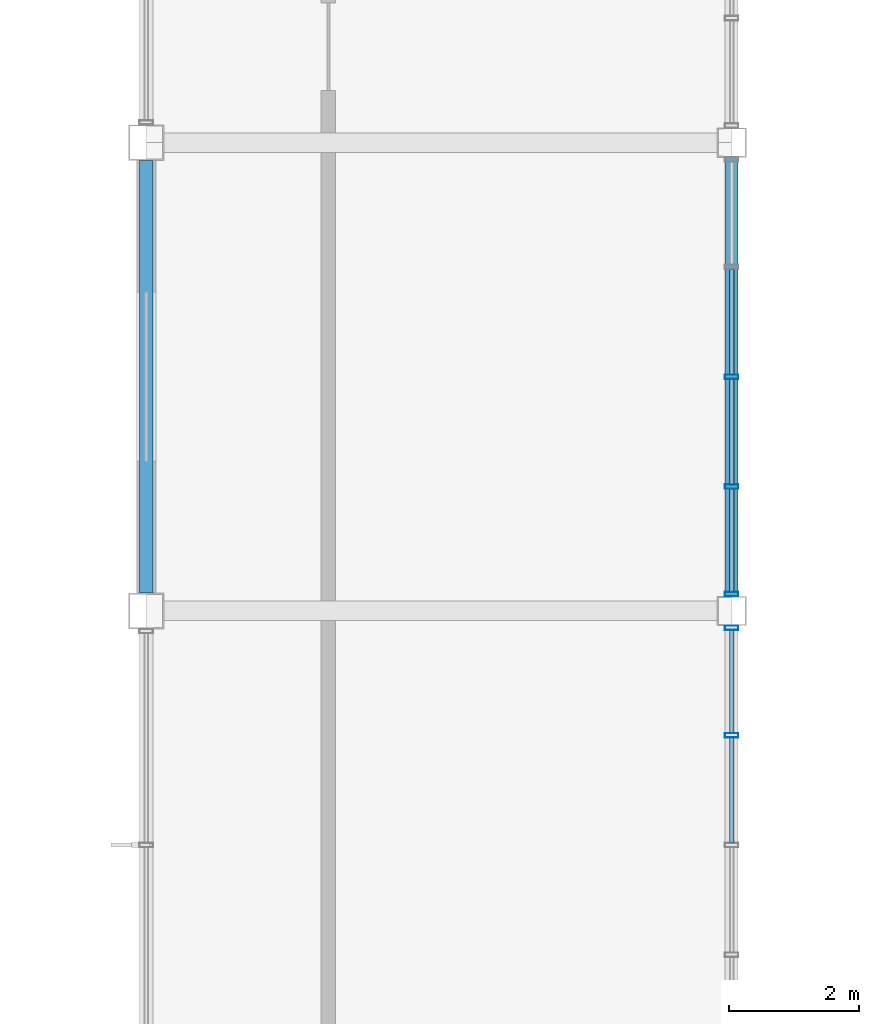
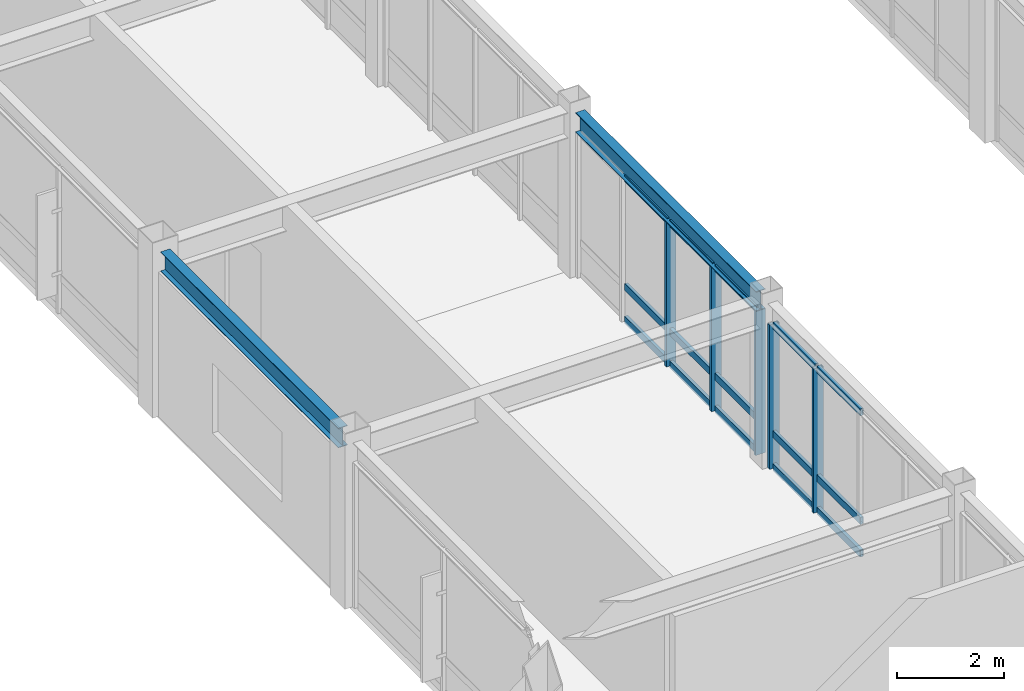
# One storey, part 47 of 113: 20 members, 2 beams, 2 elements without a shape of their own.
"""IFC4 building model written with IfcOpenShell, lengths in metres."""

import ifcopenshell
import ifcopenshell.guid

model = None  # the IFC model being written
_history = None  # IfcOwnerHistory: only IFC2X3 demands one
_inside = {}  # id of a spatial element -> (the spatial element, [elements in it])
_under = {}  # id of a project, library or spatial element -> (it, [spatial elements below it])
_declared = {}  # id of a project -> (the project, [libraries it declares])
_typed = {}  # id of a type object -> (the type object, [elements of that type])
_made_of = {}  # id of a material, layer set ... -> (it, [elements and type objects made of it])


def new_model(schema):
    """Start an empty IFC model of exactly this schema.

    Asked for "IFC4X3", IfcOpenShell would pick the latest addendum, in which some entities
    have other attributes; the version numbers below select the first issue.
    IFC2X3 requires an IfcOwnerHistory on every rooted entity: one is made here for all.
    """
    global model, _history
    if schema == "IFC4X3":
        model = ifcopenshell.file(schema_version=(4, 3, 0, 0))
    else:
        model = ifcopenshell.file(schema=schema)
    _inside.clear()
    _under.clear()
    _declared.clear()
    _typed.clear()
    _made_of.clear()
    _history = None
    if model.schema == "IFC2X3":
        org = make("IfcOrganization", Name="unknown")
        user = make(
            "IfcPersonAndOrganization",
            ThePerson=make("IfcPerson", FamilyName="unknown"),
            TheOrganization=org,
        )
        app = make(
            "IfcApplication",
            ApplicationDeveloper=org,
            Version="unknown",
            ApplicationFullName="unknown",
            ApplicationIdentifier="unknown",
        )
        _history = make(
            "IfcOwnerHistory",
            OwningUser=user,
            OwningApplication=app,
            ChangeAction="ADDED",
            CreationDate=0,
        )
    return model


def make(cls, **values):
    """One entity of the class cls with the attributes given. An attribute that is None is left unset."""
    return model.create_entity(
        cls, **{name: value for name, value in values.items() if value is not None}
    )


def rooted(cls, **values):
    """An entity with a GlobalId (a new one), such as an element, a storey or a relation."""
    return make(cls, GlobalId=ifcopenshell.guid.new(), OwnerHistory=_history, **values)


def si_unit(unit_type, name, prefix=None):
    """IfcSIUnit, for example si_unit("LENGTHUNIT", "METRE", prefix="MILLI")."""
    return make("IfcSIUnit", UnitType=unit_type, Prefix=prefix, Name=name)


def assignment(units):
    """IfcUnitAssignment: the units of a project."""
    return None if units is None else make("IfcUnitAssignment", Units=units)


def point(xyz):
    """IfcCartesianPoint."""
    return None if xyz is None else make("IfcCartesianPoint", Coordinates=xyz)


def direction(xyz):
    """IfcDirection."""
    return None if xyz is None else make("IfcDirection", DirectionRatios=xyz)


def frame(location, z_axis=None, x_axis=None):
    """IfcAxis2Placement3D, a coordinate frame: its origin and axes. An axis left out is left unset."""
    return make(
        "IfcAxis2Placement3D",
        Location=point(location),
        Axis=direction(z_axis),
        RefDirection=direction(x_axis),
    )


def frame_2d(location, x_axis=None):
    """IfcAxis2Placement2D, a coordinate frame in the plane: its origin and x axis."""
    return make(
        "IfcAxis2Placement2D", Location=point(location), RefDirection=direction(x_axis)
    )


def origin():
    """The frame at (0, 0, 0) with its axes left unset."""
    return frame((0.0, 0.0, 0.0))


def origin_2d():
    """The frame at (0, 0) in the plane with its x axis left unset."""
    return frame_2d((0.0, 0.0))


def place(relative_to, where):
    """IfcLocalPlacement: puts the frame where relative to a parent placement (None: the world)."""
    return make(
        "IfcLocalPlacement", PlacementRelTo=relative_to, RelativePlacement=where
    )


def context(
    kind, dimensions, precision=None, world=None, true_north=None, identifier=None
):
    """IfcGeometricRepresentationContext, for example the 3D "Model" context."""
    return make(
        "IfcGeometricRepresentationContext",
        ContextIdentifier=identifier,
        ContextType=kind,
        CoordinateSpaceDimension=dimensions,
        Precision=precision,
        WorldCoordinateSystem=world,
        TrueNorth=true_north,
    )


def subcontext(parent, identifier, kind, view, scale=None):
    """IfcGeometricRepresentationSubContext, for example "Body" below "Model"."""
    return make(
        "IfcGeometricRepresentationSubContext",
        ContextIdentifier=identifier,
        ContextType=kind,
        ParentContext=parent,
        TargetScale=scale,
        TargetView=view,
    )


def project(units=None, contexts=None):
    """IfcProject with its units and contexts."""
    return rooted(
        "IfcProject",
        Name="project",
        RepresentationContexts=contexts,
        UnitsInContext=assignment(units),
    )


def spatial(cls, under=None, at=None, **own):
    """A site, building, storey or space (cls), placed at a placement, below another one or the project."""
    s = rooted(cls, ObjectPlacement=at, **own)
    if under is not None:
        _under.setdefault(under.id(), (under, []))[1].append(s)
    return s


def profile(cls, at=None, kind="AREA", **sizes):
    """A parametric profile (cls). Its sizes go by their IFC names, for example OverallWidth=200.0."""
    return make(cls, ProfileType=kind, Position=at, **sizes)


def hollow_rectangle(**sizes):
    """IfcRectangleHollowProfileDef."""
    return profile("IfcRectangleHollowProfileDef", **sizes)


def i_section(**sizes):
    """IfcIShapeProfileDef."""
    return profile("IfcIShapeProfileDef", **sizes)


def extrude(swept, where, along, depth):
    """IfcExtrudedAreaSolid: the profile swept, set in the frame where, extruded along a direction by depth."""
    return make(
        "IfcExtrudedAreaSolid",
        SweptArea=swept,
        Position=where,
        ExtrudedDirection=direction(along),
        Depth=depth,
    )


def shape(context_of_items, identifier, shape_type, items):
    """IfcShapeRepresentation: the items that make up one representation, for example the "Body"."""
    return make(
        "IfcShapeRepresentation",
        ContextOfItems=context_of_items,
        RepresentationIdentifier=identifier,
        RepresentationType=shape_type,
        Items=items,
    )


def material(Name=None, Category=None):
    """IfcMaterial."""
    return make("IfcMaterial", Name=Name, Category=Category)


def material_profile(
    of_material, cross_section, Name=None, Category=None, Priority=None
):
    """IfcMaterialProfile: a cross section and its material."""
    return make(
        "IfcMaterialProfile",
        Name=Name,
        Material=of_material,
        Profile=cross_section,
        Priority=Priority,
        Category=Category,
    )


def profile_set(profiles, Name=None, composite=None):
    """IfcMaterialProfileSet."""
    return make(
        "IfcMaterialProfileSet",
        Name=Name,
        MaterialProfiles=profiles,
        CompositeProfile=composite,
    )


def made_of(thing, what):
    """Note that an element or type object is made of a material, layer set ...; save() writes the relation."""
    if what is not None:
        _made_of.setdefault(what.id(), (what, []))[1].append(thing)
    return thing


def type_object(cls, material=None, **own):
    """A type object (cls), such as IfcWallType, which elements share."""
    return made_of(rooted(cls, **own), material)


def element(
    cls,
    number,
    at=None,
    inside=None,
    cuts=None,
    type_object=None,
    material=None,
    context=None,
    identifier="Body",
    shape_type=None,
    held_by="IfcProductDefinitionShape",
    body=None,
    shapes=None,
    **own,
):
    """One element of the class cls, such as IfcWall. Its Tag is "e" and its number.

    at: its placement. inside: the storey or other place that contains it. cuts: it is an
    opening in that element (IfcRelVoidsElement). A single representation is given by context,
    identifier, shape_type and body (its items); several are given by shapes. held_by: the class
    of the entity that holds the representations. save() writes the other relations.
    """
    e = rooted(cls, Tag="e%d" % number, ObjectPlacement=at, **own)
    if body is not None:
        shapes = [shape(context, identifier, shape_type, body)]
    if shapes is not None:
        e.Representation = make(held_by, Representations=shapes)
    if inside is not None:
        _inside.setdefault(inside.id(), (inside, []))[1].append(e)
    if cuts is not None:
        rooted(
            "IfcRelVoidsElement", RelatingBuildingElement=cuts, RelatedOpeningElement=e
        )
    if type_object is not None:
        _typed.setdefault(type_object.id(), (type_object, []))[1].append(e)
    return made_of(e, material)


def aggregate(whole, parts):
    """IfcRelAggregates: a whole, such as a stair, and the parts it consists of."""
    return rooted("IfcRelAggregates", RelatingObject=whole, RelatedObjects=parts)


def save(model, path):
    """Write the relations noted so far, then the file.

    IfcRelAggregates (storeys below a building ...), IfcRelContainedInSpatialStructure (elements
    in a storey), IfcRelDefinesByType, IfcRelAssociatesMaterial and IfcRelDeclares: one each for
    every whole, place, type object, material and project.
    """
    for whole, parts in _under.values():
        aggregate(whole, parts)
    for where, things in _inside.values():
        rooted(
            "IfcRelContainedInSpatialStructure",
            RelatedElements=things,
            RelatingStructure=where,
        )
    for kind, things in _typed.values():
        rooted("IfcRelDefinesByType", RelatedObjects=things, RelatingType=kind)
    for what, things in _made_of.values():
        rooted("IfcRelAssociatesMaterial", RelatedObjects=things, RelatingMaterial=what)
    for by, libraries in _declared.values():
        rooted("IfcRelDeclares", RelatingContext=by, RelatedDefinitions=libraries)
    model.write(path)


model = new_model("IFC4")

# Units and contexts
model_context = context("Model", 3, precision=1e-05, world=origin(), true_north=direction((0.0, 1.0)))
body_context = subcontext(model_context, "Body", "Model", "MODEL_VIEW")
ifc_project = project(units=[si_unit("LENGTHUNIT", "METRE"), si_unit("AREAUNIT", "SQUARE_METRE"), si_unit("VOLUMEUNIT", "CUBIC_METRE"), si_unit("PLANEANGLEUNIT", "RADIAN"), si_unit("MASSUNIT", "GRAM", prefix="KILO")], contexts=[model_context])

# Site, building, storey
site_placement = place(None, origin())
site = spatial("IfcSite", under=ifc_project, at=site_placement, CompositionType="ELEMENT")
building_placement = place(site_placement, origin())
building = spatial("IfcBuilding", under=site, at=building_placement, Name="Kazanami Central Library", CompositionType="ELEMENT")
storey_placement = place(building_placement, frame((0.0, 0.0, 8.800048828125)))
storey = spatial("IfcBuildingStorey", under=building, at=storey_placement, Name="L03", CompositionType="ELEMENT", Elevation=8.800048828125)

# Beams
ifc_material_1 = material(Name="Steel SN490B (325 MPa)", Category="steel")
ifc_material_profile_1 = material_profile(ifc_material_1, i_section(OverallWidth=0.199951171875, OverallDepth=0.449951171875, WebThickness=0.009033203125, FlangeThickness=0.013916015625, at=origin_2d()), Name="H-450x200x9x14")
ifc_profile_set_1 = profile_set([ifc_material_profile_1], Name="Steel SN490B (325 MPa)")
beam_type = type_object("IfcBeamType", Name="BM-SP-2", PredefinedType="SPANDREL", material=ifc_profile_set_1)
beam_1_placement = place(storey_placement, frame((99.0, 43.472900390625, 3.52001953125), z_axis=(0.0, 1.0, 0.0), x_axis=(-1.0, 0.0, 0.0)))
element("IfcBeam", 1, at=beam_1_placement, inside=storey, type_object=beam_type, Name="Girder SP-2 L03 12/G-H", PredefinedType="SPANDREL", context=body_context, shape_type="SweptSolid", body=[
    extrude(i_section(OverallWidth=0.199951171875, OverallDepth=0.449951171875, WebThickness=0.009033203125, FlangeThickness=0.013916015625, at=origin_2d()), origin(), (0.0, 0.0, 1.0), 6.654052734375),
])
beam_2_placement = place(storey_placement, frame((108.0, 43.423095703125, 3.52001953125), z_axis=(0.0, 1.0, 0.0), x_axis=(-1.0, 0.0, 0.0)))
element("IfcBeam", 2, at=beam_2_placement, inside=storey, type_object=beam_type, Name="Girder SP-2 L03 13/G-H", PredefinedType="SPANDREL", context=body_context, shape_type="SweptSolid", body=[
    extrude(i_section(OverallWidth=0.199951171875, OverallDepth=0.449951171875, WebThickness=0.009033203125, FlangeThickness=0.013916015625, at=origin_2d()), origin(), (0.0, 0.0, 1.0), 6.75390625),
])

# Curtain wall, members
ifc_material_2 = material(Name="Acid-Etched Low-E Laminated Glass", Category="glass")
curtain_wall_type = type_object("IfcCurtainWallType", Name="CW-6750x3295-M180", PredefinedType="USERDEFINED", material=ifc_material_2)
curtain_wall_1_placement = place(storey_placement, origin())
curtain_wall_1 = element("IfcCurtainWall", 3, at=curtain_wall_1_placement, inside=storey, type_object=curtain_wall_type, Name="Covered Link Bridge Curtain Wall CW-32 L03 E-13-05", ObjectType="UNITISED CURTAIN WALL", PredefinedType="USERDEFINED")
ifc_material_3 = material(Name="Anodised Aluminium A6063-T5", Category="aluminium")
ifc_material_profile_2 = material_profile(ifc_material_3, hollow_rectangle(XDim=0.070068359375, YDim=0.2099609375, WallThickness=0.0048828125, at=origin_2d()), Name="ALU-MULL-70x210x5")
ifc_profile_set_2 = profile_set([ifc_material_profile_2], Name="Anodised Aluminium A6063-T5")
member_type_1 = type_object("IfcMemberType", Name="MEM-CW-M1", PredefinedType="MULLION", material=ifc_profile_set_2)
member_1_placement = place(storey_placement, frame((108.0, 42.93994140625, 0.0), z_axis=(0.0, 0.0, 1.0), x_axis=(0.0, -1.0, 0.0)))
member_1 = element("IfcMember", 4, at=member_1_placement, type_object=member_type_1, Name="CW-32 mullion 1", PredefinedType="MULLION", context=body_context, shape_type="SweptSolid", body=[
    extrude(hollow_rectangle(XDim=0.070068359375, YDim=0.2099609375, WallThickness=0.0048828125, at=origin_2d()), origin(), (0.0, 0.0, 1.0), 3.294921875),
])
member_2_placement = place(storey_placement, frame((108.0, 41.28759765625, 0.0), z_axis=(0.0, 0.0, 1.0), x_axis=(0.0, -1.0, 0.0)))
member_2 = element("IfcMember", 5, at=member_2_placement, type_object=member_type_1, Name="CW-32 mullion 2", PredefinedType="MULLION", context=body_context, shape_type="SweptSolid", body=[
    extrude(hollow_rectangle(XDim=0.070068359375, YDim=0.2099609375, WallThickness=0.0048828125, at=origin_2d()), origin(), (0.0, 0.0, 1.0), 3.294921875),
])

curtain_wall_2_placement = place(storey_placement, origin())
curtain_wall_2 = element("IfcCurtainWall", 6, at=curtain_wall_2_placement, inside=storey, type_object=curtain_wall_type, Name="Covered Link Bridge Curtain Wall CW-32 L03 E-13-06", ObjectType="UNITISED CURTAIN WALL", PredefinedType="USERDEFINED")
member_3_placement = place(storey_placement, frame((108.0, 46.800048828125, 0.0), z_axis=(0.0, 0.0, 1.0), x_axis=(0.0, -1.0, 0.0)))
member_3 = element("IfcMember", 7, at=member_3_placement, type_object=member_type_1, Name="CW-32 mullion 3", PredefinedType="MULLION", context=body_context, shape_type="SweptSolid", body=[
    extrude(hollow_rectangle(XDim=0.070068359375, YDim=0.2099609375, WallThickness=0.0048828125, at=origin_2d()), origin(), (0.0, 0.0, 1.0), 3.294921875),
])
member_4_placement = place(storey_placement, frame((108.0, 45.112548828125, 0.0), z_axis=(0.0, 0.0, 1.0), x_axis=(0.0, -1.0, 0.0)))
member_4 = element("IfcMember", 8, at=member_4_placement, type_object=member_type_1, Name="CW-32 mullion 4", PredefinedType="MULLION", context=body_context, shape_type="SweptSolid", body=[
    extrude(hollow_rectangle(XDim=0.070068359375, YDim=0.2099609375, WallThickness=0.0048828125, at=origin_2d()), origin(), (0.0, 0.0, 1.0), 3.294921875),
])
member_5_placement = place(storey_placement, frame((108.0, 43.4599609375, 0.0), z_axis=(0.0, 0.0, 1.0), x_axis=(0.0, -1.0, 0.0)))
member_5 = element("IfcMember", 9, at=member_5_placement, type_object=member_type_1, Name="CW-32 mullion 5", PredefinedType="MULLION", context=body_context, shape_type="SweptSolid", body=[
    extrude(hollow_rectangle(XDim=0.070068359375, YDim=0.2099609375, WallThickness=0.0048828125, at=origin_2d()), origin(), (0.0, 0.0, 1.0), 3.294921875),
])

# Member
ifc_material_profile_3 = material_profile(ifc_material_3, hollow_rectangle(XDim=0.070068359375, YDim=0.159912109375, WallThickness=0.00390625, at=origin_2d()), Name="ALU-TRAN-70x160x4")
ifc_profile_set_3 = profile_set([ifc_material_profile_3], Name="Anodised Aluminium A6063-T5")
member_type_2 = type_object("IfcMemberType", Name="MEM-CW-T1", PredefinedType="USERDEFINED", material=ifc_profile_set_3)
member_6_placement = place(storey_placement, frame((108.0, 42.905029296875, 0.034912109375), z_axis=(0.0, -1.0, 0.0), x_axis=(1.0, 0.0, 0.0)))
member_6 = element("IfcMember", 10, at=member_6_placement, type_object=member_type_2, Name="CW-32 transom 1.1", ObjectType="TRANSOM", PredefinedType="USERDEFINED", context=body_context, shape_type="SweptSolid", body=[
    extrude(hollow_rectangle(XDim=0.070068359375, YDim=0.159912109375, WallThickness=0.00390625, at=origin_2d()), origin(), (0.0, 0.0, 1.0), 1.58251953125),
])

member_7_placement = place(storey_placement, frame((108.0, 42.905029296875, 0.780029296875), z_axis=(0.0, -1.0, 0.0), x_axis=(1.0, 0.0, 0.0)))
member_7 = element("IfcMember", 11, at=member_7_placement, type_object=member_type_2, Name="CW-32 transom 1.2", ObjectType="TRANSOM", PredefinedType="USERDEFINED", context=body_context, shape_type="SweptSolid", body=[
    extrude(hollow_rectangle(XDim=0.070068359375, YDim=0.159912109375, WallThickness=0.00390625, at=origin_2d()), origin(), (0.0, 0.0, 1.0), 1.58251953125),
])

member_8_placement = place(storey_placement, frame((108.0, 42.905029296875, 3.260009765625), z_axis=(0.0, -1.0, 0.0), x_axis=(1.0, 0.0, 0.0)))
member_8 = element("IfcMember", 12, at=member_8_placement, type_object=member_type_2, Name="CW-32 transom 1.3", ObjectType="TRANSOM", PredefinedType="USERDEFINED", context=body_context, shape_type="SweptSolid", body=[
    extrude(hollow_rectangle(XDim=0.070068359375, YDim=0.159912109375, WallThickness=0.00390625, at=origin_2d()), origin(), (0.0, 0.0, 1.0), 1.58251953125),
])

member_9_placement = place(storey_placement, frame((108.0, 41.25244140625, 0.034912109375), z_axis=(0.0, -1.0, 0.0), x_axis=(1.0, 0.0, 0.0)))
member_9 = element("IfcMember", 13, at=member_9_placement, type_object=member_type_2, Name="CW-32 transom 2.1", ObjectType="TRANSOM", PredefinedType="USERDEFINED", context=body_context, shape_type="SweptSolid", body=[
    extrude(hollow_rectangle(XDim=0.070068359375, YDim=0.159912109375, WallThickness=0.00390625, at=origin_2d()), origin(), (0.0, 0.0, 1.0), 1.617431640625),
])

member_10_placement = place(storey_placement, frame((108.0, 41.25244140625, 0.780029296875), z_axis=(0.0, -1.0, 0.0), x_axis=(1.0, 0.0, 0.0)))
member_10 = element("IfcMember", 14, at=member_10_placement, type_object=member_type_2, Name="CW-32 transom 2.2", ObjectType="TRANSOM", PredefinedType="USERDEFINED", context=body_context, shape_type="SweptSolid", body=[
    extrude(hollow_rectangle(XDim=0.070068359375, YDim=0.159912109375, WallThickness=0.00390625, at=origin_2d()), origin(), (0.0, 0.0, 1.0), 1.617431640625),
])

member_11_placement = place(storey_placement, frame((108.0, 41.25244140625, 3.260009765625), z_axis=(0.0, -1.0, 0.0), x_axis=(1.0, 0.0, 0.0)))
member_11 = element("IfcMember", 15, at=member_11_placement, type_object=member_type_2, Name="CW-32 transom 2.3", ObjectType="TRANSOM", PredefinedType="USERDEFINED", context=body_context, shape_type="SweptSolid", body=[
    extrude(hollow_rectangle(XDim=0.070068359375, YDim=0.159912109375, WallThickness=0.00390625, at=origin_2d()), origin(), (0.0, 0.0, 1.0), 1.617431640625),
])

aggregate(curtain_wall_1, [member_1, member_2, member_6, member_7, member_8, member_9, member_10, member_11])

member_12_placement = place(storey_placement, frame((108.0, 48.452392578125, 0.034912109375), z_axis=(0.0, -1.0, 0.0), x_axis=(1.0, 0.0, 0.0)))
member_12 = element("IfcMember", 16, at=member_12_placement, type_object=member_type_2, Name="CW-32 transom 2.1", ObjectType="TRANSOM", PredefinedType="USERDEFINED", context=body_context, shape_type="SweptSolid", body=[
    extrude(hollow_rectangle(XDim=0.070068359375, YDim=0.159912109375, WallThickness=0.00390625, at=origin_2d()), origin(), (0.0, 0.0, 1.0), 1.617431640625),
])

member_13_placement = place(storey_placement, frame((108.0, 48.452392578125, 0.780029296875), z_axis=(0.0, -1.0, 0.0), x_axis=(1.0, 0.0, 0.0)))
member_13 = element("IfcMember", 17, at=member_13_placement, type_object=member_type_2, Name="CW-32 transom 2.2", ObjectType="TRANSOM", PredefinedType="USERDEFINED", context=body_context, shape_type="SweptSolid", body=[
    extrude(hollow_rectangle(XDim=0.070068359375, YDim=0.159912109375, WallThickness=0.00390625, at=origin_2d()), origin(), (0.0, 0.0, 1.0), 1.617431640625),
])

member_14_placement = place(storey_placement, frame((108.0, 48.452392578125, 3.260009765625), z_axis=(0.0, -1.0, 0.0), x_axis=(1.0, 0.0, 0.0)))
member_14 = element("IfcMember", 18, at=member_14_placement, type_object=member_type_2, Name="CW-32 transom 2.3", ObjectType="TRANSOM", PredefinedType="USERDEFINED", context=body_context, shape_type="SweptSolid", body=[
    extrude(hollow_rectangle(XDim=0.070068359375, YDim=0.159912109375, WallThickness=0.00390625, at=origin_2d()), origin(), (0.0, 0.0, 1.0), 1.617431640625),
])

member_15_placement = place(storey_placement, frame((108.0, 46.764892578125, 0.034912109375), z_axis=(0.0, -1.0, 0.0), x_axis=(1.0, 0.0, 0.0)))
member_15 = element("IfcMember", 19, at=member_15_placement, type_object=member_type_2, Name="CW-32 transom 3.1", ObjectType="TRANSOM", PredefinedType="USERDEFINED", context=body_context, shape_type="SweptSolid", body=[
    extrude(hollow_rectangle(XDim=0.070068359375, YDim=0.159912109375, WallThickness=0.00390625, at=origin_2d()), origin(), (0.0, 0.0, 1.0), 1.617431640625),
])

member_16_placement = place(storey_placement, frame((108.0, 46.764892578125, 0.780029296875), z_axis=(0.0, -1.0, 0.0), x_axis=(1.0, 0.0, 0.0)))
member_16 = element("IfcMember", 20, at=member_16_placement, type_object=member_type_2, Name="CW-32 transom 3.2", ObjectType="TRANSOM", PredefinedType="USERDEFINED", context=body_context, shape_type="SweptSolid", body=[
    extrude(hollow_rectangle(XDim=0.070068359375, YDim=0.159912109375, WallThickness=0.00390625, at=origin_2d()), origin(), (0.0, 0.0, 1.0), 1.617431640625),
])

member_17_placement = place(storey_placement, frame((108.0, 46.764892578125, 3.260009765625), z_axis=(0.0, -1.0, 0.0), x_axis=(1.0, 0.0, 0.0)))
member_17 = element("IfcMember", 21, at=member_17_placement, type_object=member_type_2, Name="CW-32 transom 3.3", ObjectType="TRANSOM", PredefinedType="USERDEFINED", context=body_context, shape_type="SweptSolid", body=[
    extrude(hollow_rectangle(XDim=0.070068359375, YDim=0.159912109375, WallThickness=0.00390625, at=origin_2d()), origin(), (0.0, 0.0, 1.0), 1.617431640625),
])

member_18_placement = place(storey_placement, frame((108.0, 45.077392578125, 0.034912109375), z_axis=(0.0, -1.0, 0.0), x_axis=(1.0, 0.0, 0.0)))
member_18 = element("IfcMember", 22, at=member_18_placement, type_object=member_type_2, Name="CW-32 transom 4.1", ObjectType="TRANSOM", PredefinedType="USERDEFINED", context=body_context, shape_type="SweptSolid", body=[
    extrude(hollow_rectangle(XDim=0.070068359375, YDim=0.159912109375, WallThickness=0.00390625, at=origin_2d()), origin(), (0.0, 0.0, 1.0), 1.582275390625),
])

member_19_placement = place(storey_placement, frame((108.0, 45.077392578125, 0.780029296875), z_axis=(0.0, -1.0, 0.0), x_axis=(1.0, 0.0, 0.0)))
member_19 = element("IfcMember", 23, at=member_19_placement, type_object=member_type_2, Name="CW-32 transom 4.2", ObjectType="TRANSOM", PredefinedType="USERDEFINED", context=body_context, shape_type="SweptSolid", body=[
    extrude(hollow_rectangle(XDim=0.070068359375, YDim=0.159912109375, WallThickness=0.00390625, at=origin_2d()), origin(), (0.0, 0.0, 1.0), 1.582275390625),
])

member_20_placement = place(storey_placement, frame((108.0, 45.077392578125, 3.260009765625), z_axis=(0.0, -1.0, 0.0), x_axis=(1.0, 0.0, 0.0)))
member_20 = element("IfcMember", 24, at=member_20_placement, type_object=member_type_2, Name="CW-32 transom 4.3", ObjectType="TRANSOM", PredefinedType="USERDEFINED", context=body_context, shape_type="SweptSolid", body=[
    extrude(hollow_rectangle(XDim=0.070068359375, YDim=0.159912109375, WallThickness=0.00390625, at=origin_2d()), origin(), (0.0, 0.0, 1.0), 1.582275390625),
])

aggregate(curtain_wall_2, [member_3, member_4, member_5, member_12, member_13, member_14, member_15, member_16, member_17, member_18, member_19, member_20])

save(model, "model.ifc")
